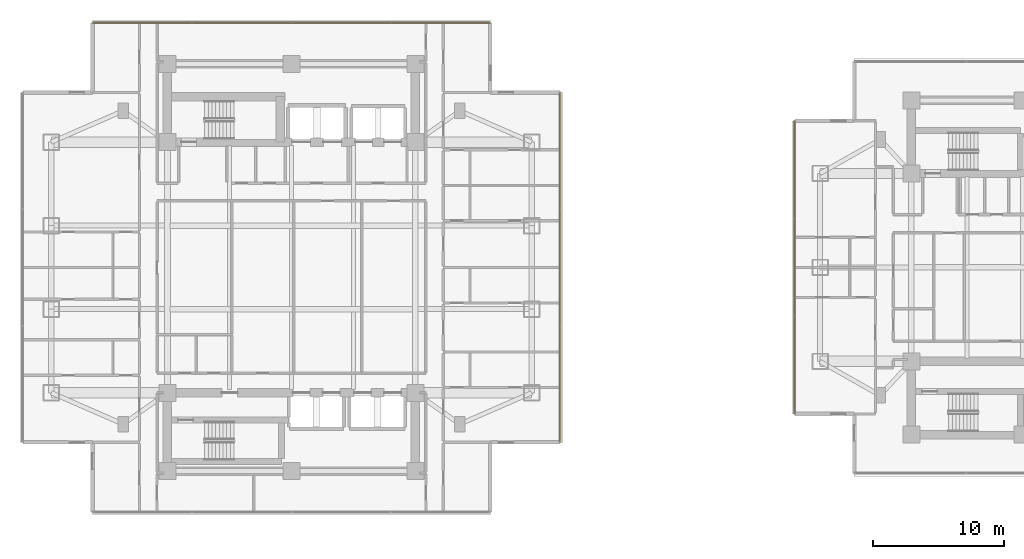
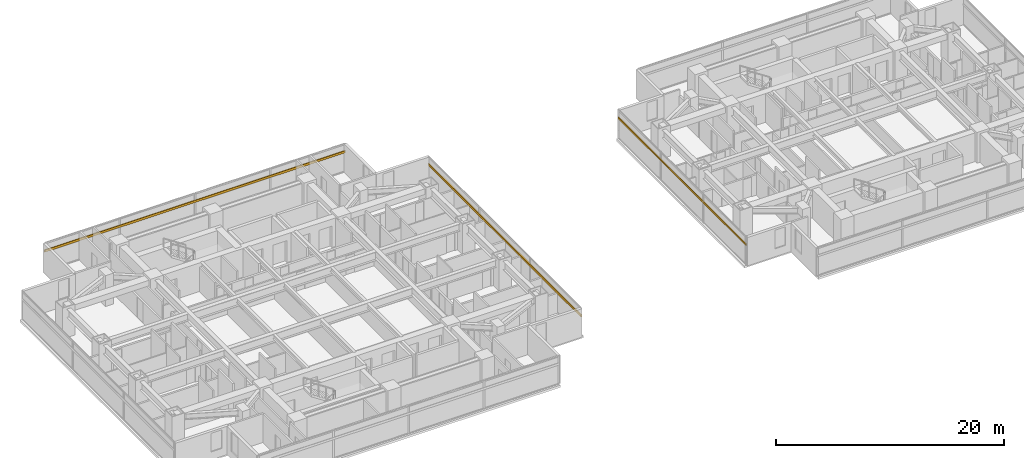
# One storey, part 24 of 27: 3 shading devices.
"""IFC4 building model written with IfcOpenShell, lengths in metres."""

from ifc_helpers import new_model, si_unit, direction, frame, origin, origin_2d, place, context, subcontext, project, spatial, rectangle, extrude, material, material_profile, profile_set, type_object, element, save


model = new_model("IFC4")

# Units and contexts
model_context = context("Model", 3, precision=1e-05, world=origin(), true_north=direction((0.0, 1.0)))
body_context = subcontext(model_context, "Body", "Model", "MODEL_VIEW")
ifc_project = project(units=[si_unit("LENGTHUNIT", "METRE"), si_unit("AREAUNIT", "SQUARE_METRE"), si_unit("VOLUMEUNIT", "CUBIC_METRE"), si_unit("PLANEANGLEUNIT", "RADIAN"), si_unit("MASSUNIT", "GRAM", prefix="KILO")], contexts=[model_context])

# Site, building, storey
site_placement = place(None, origin())
site = spatial("IfcSite", under=ifc_project, at=site_placement, CompositionType="ELEMENT")
building_placement = place(site_placement, origin())
building = spatial("IfcBuilding", under=site, at=building_placement, Name="Mirazonda Arch Towers", CompositionType="ELEMENT")
storey_placement = place(building_placement, frame((0.0, 0.0, 52.10009765625)))
storey = spatial("IfcBuildingStorey", under=building, at=storey_placement, Name="L14", CompositionType="ELEMENT", Elevation=52.10009765625)

# Shading devices
ifc_material = material(Name="Kiln-Fired Architectural Terracotta", Category="masonry")
ifc_material_profile_1 = material_profile(ifc_material, rectangle(XDim=0.1201171875, YDim=0.239990234375, at=origin_2d()), Name="TERRA-BAG-120x240")
ifc_profile_set_1 = profile_set([ifc_material_profile_1], Name="Kiln-Fired Architectural Terracotta")
shading_device_type_1 = type_object("IfcShadingDeviceType", Name="BAGUETTE-1", PredefinedType="USERDEFINED", material=ifc_profile_set_1)
shading_device_1_placement = place(storey_placement, frame((41.080078125, 14.60009765625, 2.188720703125), z_axis=(0.0, 1.0, 0.0), x_axis=(-1.0, 0.0, 0.0)))
element("IfcShadingDevice", 1, at=shading_device_1_placement, inside=storey, type_object=shading_device_type_1, Name="L14 Glazed Terracotta Sun-Screen Baguette CW-L14-T1-E", ObjectType="BAGUETTE", PredefinedType="USERDEFINED", context=body_context, shape_type="SweptSolid", body=[
    extrude(rectangle(XDim=0.1201171875, YDim=0.239990234375, at=origin_2d()), origin(), (0.0, 0.0, 1.0), 26.7998046875),
])
shading_device_2_placement = place(storey_placement, frame((5.260009765625, 46.739990234375, 2.188720703125), z_axis=(1.0, 0.0, 0.0), x_axis=(0.0, 1.0, 0.0)))
element("IfcShadingDevice", 2, at=shading_device_2_placement, inside=storey, type_object=shading_device_type_1, Name="L14 Glazed Terracotta Sun-Screen Baguette CW-L14-T1-N", ObjectType="BAGUETTE", PredefinedType="USERDEFINED", context=body_context, shape_type="SweptSolid", body=[
    extrude(rectangle(XDim=0.1201171875, YDim=0.239990234375, at=origin_2d()), origin(), (0.0, 0.0, 1.0), 30.47998046875),
])
ifc_material_profile_2 = material_profile(ifc_material, rectangle(XDim=0.10009765625, YDim=0.199951171875, at=origin_2d()), Name="TERRA-BAG-100x200")
ifc_profile_set_2 = profile_set([ifc_material_profile_2], Name="Kiln-Fired Architectural Terracotta")
shading_device_type_2 = type_object("IfcShadingDeviceType", Name="BAGUETTE-2", PredefinedType="USERDEFINED", material=ifc_profile_set_2)
shading_device_3_placement = place(storey_placement, frame((59.06005859375, 39.22998046875, 2.188720703125), z_axis=(0.0, -1.0, 0.0), x_axis=(1.0, 0.0, 0.0)))
element("IfcShadingDevice", 3, at=shading_device_3_placement, inside=storey, type_object=shading_device_type_2, Name="L14 Glazed Terracotta Sun-Screen Baguette CW-L14-T2-W", ObjectType="BAGUETTE", PredefinedType="USERDEFINED", context=body_context, shape_type="SweptSolid", body=[
    extrude(rectangle(XDim=0.10009765625, YDim=0.199951171875, at=origin_2d()), origin(), (0.0, 0.0, 1.0), 22.4599609375),
])

save(model, "model.ifc")
